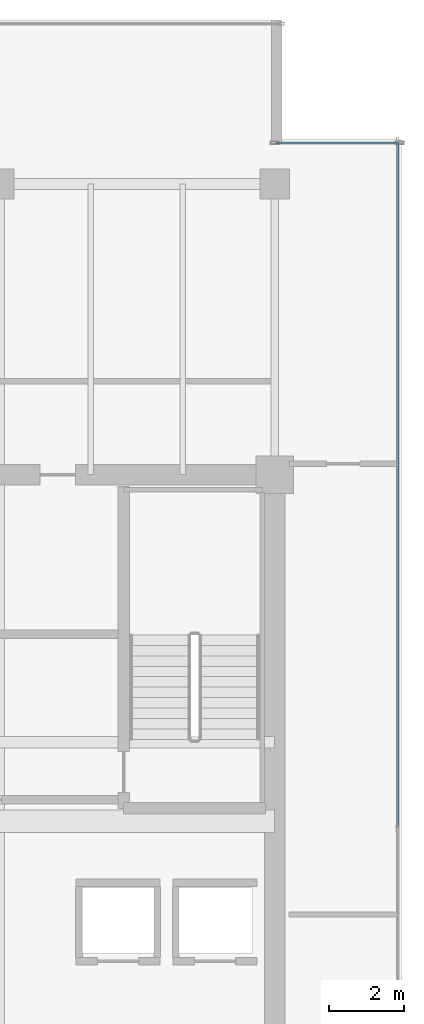
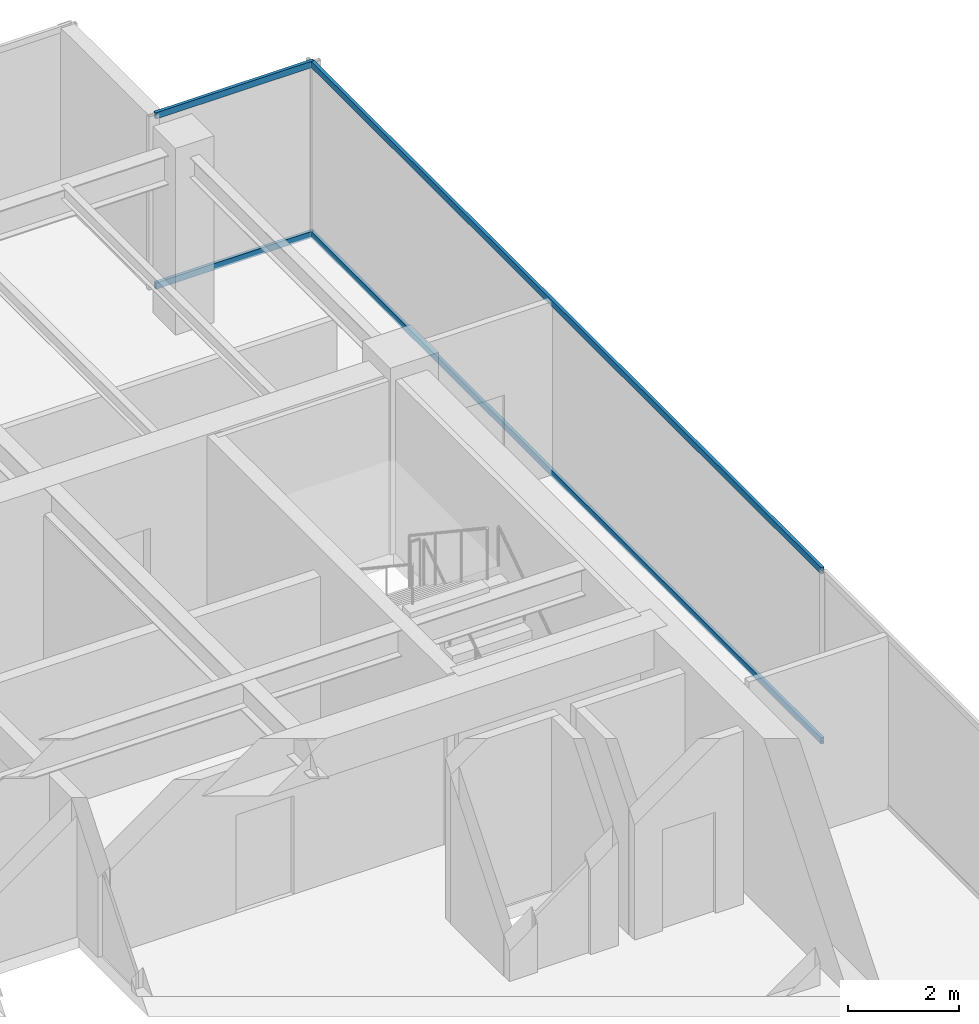
# One storey, part 25 of 33: 4 members, 2 elements without a shape of their own.
"""IFC4 building model written with IfcOpenShell, lengths in metres."""

from ifc_helpers import new_model, si_unit, direction, frame, origin, origin_2d, place, context, subcontext, project, spatial, hollow_rectangle, extrude, source, transform, mapped, material, layer, layer_set, material_profile, profile_set, type_object, type_shapes, element, aggregate, save


model = new_model("IFC4")

# Units and contexts
model_context = context("Model", 3, precision=1e-05, world=origin(), true_north=direction((0.0, 1.0)))
body_context = subcontext(model_context, "Body", "Model", "MODEL_VIEW")
ifc_project = project(units=[si_unit("LENGTHUNIT", "METRE"), si_unit("AREAUNIT", "SQUARE_METRE"), si_unit("VOLUMEUNIT", "CUBIC_METRE"), si_unit("PLANEANGLEUNIT", "RADIAN"), si_unit("MASSUNIT", "GRAM", prefix="KILO")], contexts=[model_context])

# Site, building, storey
site_placement = place(None, origin())
site = spatial("IfcSite", under=ifc_project, at=site_placement, CompositionType="ELEMENT")
building_placement = place(site_placement, origin())
building = spatial("IfcBuilding", under=site, at=building_placement, Name="Haelvirn Gate Laboratories", CompositionType="ELEMENT")
storey_placement = place(building_placement, frame((0.0, 0.0, 238.300048828125)))
storey = spatial("IfcBuildingStorey", under=building, at=storey_placement, Name="L57", CompositionType="ELEMENT", Elevation=238.300048828125)

# Curtain wall, members
ifc_material_1 = material(Name="Anodised bronze unitised aluminium & triple low-E glass", Category="aluminium")
ifc_layer_1 = layer(ifc_material_1, 0.181884765625, Name="CW-SYS-5")
ifc_layer_set_1 = layer_set([ifc_layer_1], Name="Anodised bronze unitised aluminium & triple low-E glass")
curtain_wall_type_1 = type_object("IfcCurtainWallType", Name="CW-SYS-5", PredefinedType="NOTDEFINED", material=ifc_layer_set_1)
curtain_wall_1_placement = place(storey_placement, origin())
curtain_wall_1 = element("IfcCurtainWall", 1, at=curtain_wall_1_placement, inside=storey, type_object=curtain_wall_type_1, Name="L57 Unitised Curtain Wall CW-L57-P0-E08-1", PredefinedType="NOTDEFINED")
ifc_material_2 = material(Name="Extruded aluminium 6063-T6 (anodised bronze)", Category="aluminium")
ifc_material_profile = material_profile(ifc_material_2, hollow_rectangle(XDim=0.06494140625, YDim=0.139892578125, WallThickness=0.00390625, at=origin_2d()), Name="CWT-140x65x4")
ifc_profile_set = profile_set([ifc_material_profile], Name="Extruded aluminium 6063-T6 (anodised bronze)")
member_type = type_object("IfcMemberType", Name="CWT-T140", PredefinedType="USERDEFINED", material=ifc_profile_set)
shared_shape_1 = source(origin(), body_context, "Body", "SweptSolid", [
    extrude(hollow_rectangle(XDim=0.06494140625, YDim=0.139892578125, WallThickness=0.00390625, at=origin_2d()), origin(), (0.0, 0.0, 1.0), 3.280029296875),
])
member_1_placement = place(storey_placement, frame((67.43994140625, 42.699951171875, 0.032470703125), z_axis=(1.0, 0.0, 0.0), x_axis=(0.0, 1.0, 0.0)))
member_1 = element("IfcMember", 2, at=member_1_placement, type_object=member_type, Name="CW5 transom 1.1", ObjectType="TRANSOM", PredefinedType="USERDEFINED", context=body_context, shape_type="MappedRepresentation", body=[
    mapped(shared_shape_1, transform((0.0, 0.0, 0.0), scale=1.0)),
])
member_2_placement = place(storey_placement, frame((67.43994140625, 42.699951171875, 3.767333984375), z_axis=(1.0, 0.0, 0.0), x_axis=(0.0, 1.0, 0.0)))
member_2 = element("IfcMember", 3, at=member_2_placement, type_object=member_type, Name="CW5 transom 1.2", ObjectType="TRANSOM", PredefinedType="USERDEFINED", context=body_context, shape_type="MappedRepresentation", body=[
    mapped(shared_shape_1, transform((0.0, 0.0, 0.0), scale=1.0)),
])
aggregate(curtain_wall_1, [member_1, member_2])

ifc_layer_2 = layer(ifc_material_1, 0.176025390625, Name="CW-SYS-4")
ifc_layer_set_2 = layer_set([ifc_layer_2], Name="Anodised bronze unitised aluminium & triple low-E glass")
curtain_wall_type_2 = type_object("IfcCurtainWallType", Name="CW-SYS-4", PredefinedType="NOTDEFINED", material=ifc_layer_set_2)
curtain_wall_2_placement = place(storey_placement, origin())
curtain_wall_2 = element("IfcCurtainWall", 4, at=curtain_wall_2_placement, inside=storey, type_object=curtain_wall_type_2, Name="L57 Unitised Curtain Wall CW-L57-P0-E07", PredefinedType="NOTDEFINED")
shared_shape_2 = source(origin(), body_context, "Body", "SweptSolid", [
    extrude(hollow_rectangle(XDim=0.06494140625, YDim=0.139892578125, WallThickness=0.00390625, at=origin_2d()), origin(), (0.0, 0.0, 1.0), 18.39501953125),
])
type_shapes(member_type, [shared_shape_1, shared_shape_2])
member_3_placement = place(storey_placement, frame((70.699951171875, 24.3349609375, 0.032470703125), z_axis=(0.0, 1.0, 0.0), x_axis=(-1.0, 0.0, 0.0)))
member_3 = element("IfcMember", 5, at=member_3_placement, type_object=member_type, Name="CW4 transom 2.1", ObjectType="TRANSOM", PredefinedType="USERDEFINED", context=body_context, shape_type="MappedRepresentation", body=[
    mapped(shared_shape_2, transform((0.0, 0.0, 0.0), scale=1.0)),
])
member_4_placement = place(storey_placement, frame((70.699951171875, 24.3349609375, 3.767333984375), z_axis=(0.0, 1.0, 0.0), x_axis=(-1.0, 0.0, 0.0)))
member_4 = element("IfcMember", 6, at=member_4_placement, type_object=member_type, Name="CW4 transom 2.2", ObjectType="TRANSOM", PredefinedType="USERDEFINED", context=body_context, shape_type="MappedRepresentation", body=[
    mapped(shared_shape_2, transform((0.0, 0.0, 0.0), scale=1.0)),
])
aggregate(curtain_wall_2, [member_3, member_4])

save(model, "model.ifc")
